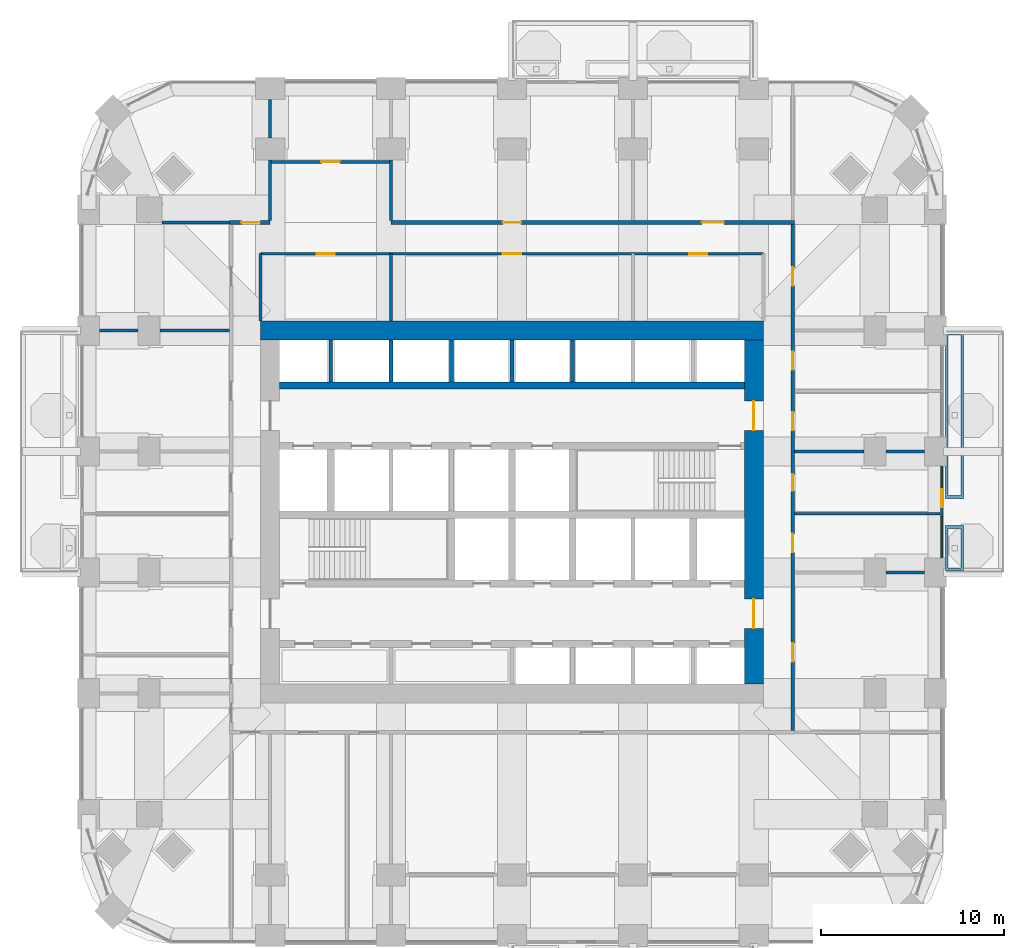
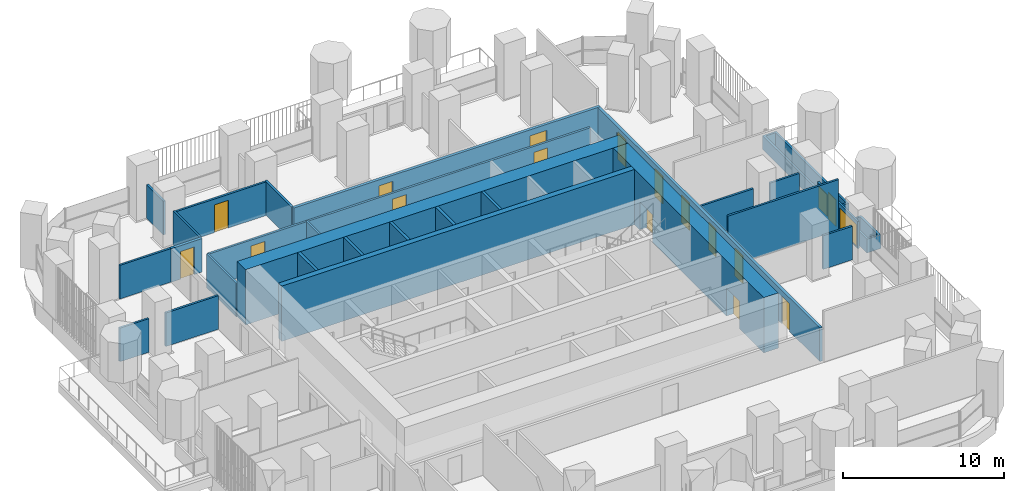
# One storey, part 16 of 22: 28 walls, 16 doors, 2 windows, 18 openings.
"""IFC4 building model written with IfcOpenShell, lengths in metres."""

from ifc_helpers import new_model, si_unit, direction, frame, frame_2d, origin, place, context, subcontext, project, spatial, polyline, rectangle, outline, extrude, material, layer, layer_set, type_object, element, fill, save


model = new_model("IFC4")

# Units and contexts
model_context = context("Model", 3, precision=1e-05, world=origin(), true_north=direction((0.0, 1.0)))
body_context = subcontext(model_context, "Body", "Model", "MODEL_VIEW")
ifc_project = project(units=[si_unit("LENGTHUNIT", "METRE"), si_unit("AREAUNIT", "SQUARE_METRE"), si_unit("VOLUMEUNIT", "CUBIC_METRE"), si_unit("PLANEANGLEUNIT", "RADIAN"), si_unit("MASSUNIT", "GRAM", prefix="KILO")], contexts=[model_context])

# Site, building, storey
site_placement = place(None, origin())
site = spatial("IfcSite", under=ifc_project, at=site_placement, CompositionType="ELEMENT")
building_placement = place(site_placement, origin())
building = spatial("IfcBuilding", under=site, at=building_placement, Name="Cobogo Forest Laboratory Tower", CompositionType="ELEMENT")
storey_placement = place(building_placement, frame((0.0, 0.0, 145.199951171875)))
storey = spatial("IfcBuildingStorey", under=building, at=storey_placement, Name="L33", CompositionType="ELEMENT", Elevation=145.199951171875)

# Wall
ifc_material_1 = material(Name="Concrete HA-50 (C50/60)", Category="concrete")
ifc_layer_1 = layer(ifc_material_1, 0.39990234375)
ifc_layer_set_1 = layer_set([ifc_layer_1], Name="CI400 core inner wall 400")
wall_type_1 = type_object("IfcWallType", Name="CI400 core inner wall 400", PredefinedType="SHEAR", material=ifc_layer_set_1)
wall_1_placement = place(storey_placement, frame((13.72509765625, 30.0, 0.0), z_axis=(0.0, 0.0, 1.0), x_axis=(1.0, 0.0, 0.0)))
element("IfcWall", 1, at=wall_1_placement, inside=storey, type_object=wall_type_1, Name="Core wall CI-30.0 L33", PredefinedType="SHEAR", context=body_context, shape_type="SweptSolid", body=[
    extrude(rectangle(XDim=25.349853515625, YDim=0.39990234375, at=frame_2d((12.6748046875, 0.0))), origin(), (0.0, 0.0, 1.0), 4.199951171875),
])

# Wall, openings, doors
ifc_layer_2 = layer(ifc_material_1, 1.050048828125)
ifc_layer_set_2 = layer_set([ifc_layer_2], Name="CW1050 core outer wall 1050")
wall_type_2 = type_object("IfcWallType", Name="CW1050 core outer wall 1050", PredefinedType="SHEAR", material=ifc_layer_set_2)
wall_2_placement = place(storey_placement, frame((39.60009765625, 13.72509765625, 0.0), z_axis=(0.0, 0.0, 1.0), x_axis=(0.0, 1.0, 0.0)))
wall_2 = element("IfcWall", 2, at=wall_2_placement, inside=storey, type_object=wall_type_2, Name="Core wall CO-E L33", PredefinedType="SHEAR", context=body_context, shape_type="SweptSolid", body=[
    extrude(rectangle(XDim=18.75, YDim=1.050048828125, at=frame_2d((9.375, 0.0))), origin(), (0.0, 0.0, 1.0), 4.199951171875),
])
opening_1_placement = place(wall_2_placement, frame((3.02490234375, 0.0, 0.0)))
opening_1 = element("IfcOpeningElement", 3, at=opening_1_placement, cuts=wall_2, Name="Opening L33-D16", PredefinedType="OPENING", context=body_context, shape_type="SweptSolid", body=[
    extrude(rectangle(XDim=1.60009765625, YDim=2.10009765625, at=frame_2d((0.800048828125, 1.050048828125))), frame((0.0, 0.534912109375, 0.0), z_axis=(0.0, -1.0, 0.0), x_axis=(1.0, 0.0, 0.0)), (0.0, 0.0, 1.0), 1.070068359375),
])
opening_2_placement = place(wall_2_placement, frame((13.824951171875, 0.0, 0.0)))
opening_2 = element("IfcOpeningElement", 4, at=opening_2_placement, cuts=wall_2, Name="Opening L33-D29", PredefinedType="OPENING", context=body_context, shape_type="SweptSolid", body=[
    extrude(rectangle(XDim=1.60009765625, YDim=2.10009765625, at=frame_2d((0.800048828125, 1.050048828125))), frame((0.0, 0.534912109375, 0.0), z_axis=(0.0, -1.0, 0.0), x_axis=(1.0, 0.0, 0.0)), (0.0, 0.0, 1.0), 1.070068359375),
])
ifc_material_2 = material(Name="Steel fire door", Category="steel")
door_type_1 = type_object("IfcDoorType", Name="DS2 protected lobby door pair 1600 EI2 60", OperationType="DOUBLE_DOOR_DOUBLE_SWING", PredefinedType="DOOR", material=ifc_material_2)
door_1_placement = place(opening_1_placement, origin())
door_1 = element("IfcDoor", 5, at=door_1_placement, inside=storey, type_object=door_type_1, Name="Door L33-CO-E-S", OperationType="DOUBLE_DOOR_DOUBLE_SWING", OverallHeight=2.10009765625, OverallWidth=1.60009765625, PredefinedType="DOOR", context=body_context, shape_type="SweptSolid", body=[
    extrude(rectangle(XDim=1.60009765625, YDim=2.10009765625, at=frame_2d((0.800048828125, 1.050048828125))), frame((0.0, 0.02490234375, 0.0), z_axis=(0.0, -1.0, 0.0), x_axis=(1.0, 0.0, 0.0)), (0.0, 0.0, 1.0), 0.050048828125),
])
fill(opening_1, door_1)
door_2_placement = place(opening_2_placement, origin())
door_2 = element("IfcDoor", 6, at=door_2_placement, inside=storey, type_object=door_type_1, Name="Door L33-CO-E-N", OperationType="DOUBLE_DOOR_DOUBLE_SWING", OverallHeight=2.10009765625, OverallWidth=1.60009765625, PredefinedType="DOOR", context=body_context, shape_type="SweptSolid", body=[
    extrude(rectangle(XDim=1.60009765625, YDim=2.10009765625, at=frame_2d((0.800048828125, 1.050048828125))), frame((0.0, 0.02490234375, 0.0), z_axis=(0.0, -1.0, 0.0), x_axis=(1.0, 0.0, 0.0)), (0.0, 0.0, 1.0), 0.050048828125),
])
fill(opening_2, door_2)

# Wall
wall_3_placement = place(storey_placement, frame((40.125, 33.0, 0.0), z_axis=(0.0, 0.0, 1.0), x_axis=(-1.0, 0.0, 0.0)))
element("IfcWall", 7, at=wall_3_placement, inside=storey, type_object=wall_type_2, Name="Core wall CO-N L33", PredefinedType="SHEAR", context=body_context, shape_type="SweptSolid", body=[
    extrude(rectangle(XDim=27.449951171875, YDim=1.050048828125, at=frame_2d((13.72509765625, 0.0))), origin(), (0.0, 0.0, 1.0), 4.199951171875),
])

# Wall, openings, door, windows
ifc_material_3 = material(Name="Aluminium framed glazed screen", Category="aluminium")
ifc_layer_3 = layer(ifc_material_3, 0.14990234375)
ifc_layer_set_3 = layer_set([ifc_layer_3], Name="GS1 glazed door screen 150")
wall_type_3 = type_object("IfcWallType", Name="GS1 glazed door screen 150", PredefinedType="SOLIDWALL", material=ifc_layer_set_3)
wall_4_placement = place(storey_placement, frame((49.85009765625, 20.60009765625, 0.0), z_axis=(0.0, 0.0, 1.0), x_axis=(0.0, 1.0, 0.0)))
wall_4 = element("IfcWall", 8, at=wall_4_placement, inside=storey, type_object=wall_type_3, Name="Door screen BAL-E1 L33", PredefinedType="SOLIDWALL", context=body_context, shape_type="SweptSolid", body=[
    extrude(rectangle(XDim=5.0, YDim=0.14990234375, at=frame_2d((2.5, 0.0))), origin(), (0.0, 0.0, 1.0), 2.050048828125),
])
opening_3_placement = place(wall_4_placement, frame((2.75, 0.0, 0.0)))
opening_3 = element("IfcOpeningElement", 9, at=opening_3_placement, cuts=wall_4, Name="Opening L33-D23", PredefinedType="OPENING", context=body_context, shape_type="SweptSolid", body=[
    extrude(rectangle(XDim=1.0, YDim=2.0, at=frame_2d((0.5, 1.0))), frame((0.0, 0.0849609375, 0.0), z_axis=(0.0, -1.0, 0.0), x_axis=(1.0, 0.0, 0.0)), (0.0, 0.0, 1.0), 0.169921875),
])
opening_4_placement = place(wall_4_placement, frame((0.10009765625, 0.0, 0.10009765625)))
opening_4 = element("IfcOpeningElement", 10, at=opening_4_placement, cuts=wall_4, Name="Opening L33-W04", PredefinedType="OPENING", context=body_context, shape_type="SweptSolid", body=[
    extrude(rectangle(XDim=2.14990234375, YDim=1.64990234375, at=frame_2d((1.074951171875, 0.824951171875))), frame((0.0, 0.0849609375, 0.0), z_axis=(0.0, -1.0, 0.0), x_axis=(1.0, 0.0, 0.0)), (0.0, 0.0, 1.0), 0.169921875),
])
opening_5_placement = place(wall_4_placement, frame((3.85009765625, 0.0, 0.10009765625)))
opening_5 = element("IfcOpeningElement", 11, at=opening_5_placement, cuts=wall_4, Name="Opening L33-W06", PredefinedType="OPENING", context=body_context, shape_type="SweptSolid", body=[
    extrude(rectangle(XDim=1.050048828125, YDim=1.64990234375, at=frame_2d((0.52490234375, 0.824951171875))), frame((0.0, 0.0849609375, 0.0), z_axis=(0.0, -1.0, 0.0), x_axis=(1.0, 0.0, 0.0)), (0.0, 0.0, 1.0), 0.169921875),
])
ifc_material_4 = material(Name="Aluminium glazed door", Category="aluminium")
door_type_2 = type_object("IfcDoorType", Name="DB2 balcony door 1000 glazed 2000 high", OperationType="SINGLE_SWING_LEFT", PredefinedType="DOOR", material=ifc_material_4)
door_3_placement = place(opening_3_placement, origin())
door_3 = element("IfcDoor", 12, at=door_3_placement, inside=storey, type_object=door_type_2, Name="Door L33-BAL-E1", OperationType="SINGLE_SWING_RIGHT", OverallHeight=2.0, OverallWidth=1.0, PredefinedType="DOOR", context=body_context, shape_type="SweptSolid", body=[
    extrude(rectangle(XDim=1.0, YDim=2.0, at=frame_2d((0.5, 1.0))), frame((0.0, 0.02490234375, 0.0), z_axis=(0.0, -1.0, 0.0), x_axis=(1.0, 0.0, 0.0)), (0.0, 0.0, 1.0), 0.050048828125),
])
fill(opening_3, door_3)
ifc_material_5 = material(Name="Aluminium framed glazing", Category="aluminium")
window_type_1 = type_object("IfcWindowType", Name="WG19 fixed glazed light 2150x1650", PartitioningType="SINGLE_PANEL", PredefinedType="WINDOW", material=ifc_material_5)
window_1_placement = place(opening_4_placement, origin())
window_1 = element("IfcWindow", 13, at=window_1_placement, inside=storey, type_object=window_type_1, Name="Window L33-BAL-E1-1", OverallHeight=1.64990234375, OverallWidth=2.14990234375, PartitioningType="SINGLE_PANEL", PredefinedType="WINDOW", context=body_context, shape_type="SweptSolid", body=[
    extrude(rectangle(XDim=2.14990234375, YDim=1.64990234375, at=frame_2d((1.074951171875, 0.824951171875))), frame((0.0, 0.030029296875, 0.0), z_axis=(0.0, -1.0, 0.0), x_axis=(1.0, 0.0, 0.0)), (0.0, 0.0, 1.0), 0.06005859375),
])
fill(opening_4, window_1)
window_type_2 = type_object("IfcWindowType", Name="WG20 fixed glazed light 1050x1650", PartitioningType="SINGLE_PANEL", PredefinedType="WINDOW", material=ifc_material_5)
window_2_placement = place(opening_5_placement, origin())
window_2 = element("IfcWindow", 14, at=window_2_placement, inside=storey, type_object=window_type_2, Name="Window L33-BAL-E1-2", OverallHeight=1.64990234375, OverallWidth=1.050048828125, PartitioningType="SINGLE_PANEL", PredefinedType="WINDOW", context=body_context, shape_type="SweptSolid", body=[
    extrude(rectangle(XDim=1.050048828125, YDim=1.64990234375, at=frame_2d((0.52490234375, 0.824951171875))), frame((0.0, 0.030029296875, 0.0), z_axis=(0.0, -1.0, 0.0), x_axis=(1.0, 0.0, 0.0)), (0.0, 0.0, 1.0), 0.06005859375),
])
fill(opening_5, window_2)

# Wall, openings, doors
ifc_material_6 = material(Name="Gypsum board on steel studs", Category="steel")
ifc_layer_4 = layer(ifc_material_6, 0.14990234375)
ifc_layer_set_4 = layer_set([ifc_layer_4], Name="PT1 laboratory partition 150")
wall_type_4 = type_object("IfcWallType", Name="PT1 laboratory partition 150", PredefinedType="PARTITIONING", material=ifc_layer_set_4)
wall_5_placement = place(storey_placement, frame((12.675048828125, 37.199951171875, 0.0), z_axis=(0.0, 0.0, 1.0), x_axis=(1.0, 0.0, 0.0)))
wall_5 = element("IfcWall", 15, at=wall_5_placement, inside=storey, type_object=wall_type_4, Name="Partition CSTRIP-N L33", PredefinedType="PARTITIONING", context=body_context, shape_type="SweptSolid", body=[
    extrude(rectangle(XDim=27.449951171875, YDim=0.14990234375, at=frame_2d((13.72509765625, 0.0))), origin(), (0.0, 0.0, 1.0), 2.550048828125),
])
opening_6_placement = place(wall_5_placement, frame((3.0625, 0.0, 0.0)))
opening_6 = element("IfcOpeningElement", 16, at=opening_6_placement, cuts=wall_5, Name="Opening L33-D34", PredefinedType="OPENING", context=body_context, shape_type="SweptSolid", body=[
    extrude(rectangle(XDim=1.0, YDim=2.10009765625, at=frame_2d((0.5, 1.050048828125))), frame((0.0, 0.0849609375, 0.0), z_axis=(0.0, -1.0, 0.0), x_axis=(1.0, 0.0, 0.0)), (0.0, 0.0, 1.0), 0.169921875),
])
opening_7_placement = place(wall_5_placement, frame((13.22509765625, 0.0, 0.0)))
opening_7 = element("IfcOpeningElement", 17, at=opening_7_placement, cuts=wall_5, Name="Opening L33-D35", PredefinedType="OPENING", context=body_context, shape_type="SweptSolid", body=[
    extrude(rectangle(XDim=1.0, YDim=2.10009765625, at=frame_2d((0.5, 1.050048828125))), frame((0.0, 0.0849609375, 0.0), z_axis=(0.0, -1.0, 0.0), x_axis=(1.0, 0.0, 0.0)), (0.0, 0.0, 1.0), 0.169921875),
])
opening_8_placement = place(wall_5_placement, frame((23.387451171875, 0.0, 0.0)))
opening_8 = element("IfcOpeningElement", 18, at=opening_8_placement, cuts=wall_5, Name="Opening L33-D36", PredefinedType="OPENING", context=body_context, shape_type="SweptSolid", body=[
    extrude(rectangle(XDim=1.0, YDim=2.10009765625, at=frame_2d((0.5, 1.050048828125))), frame((0.0, 0.0849609375, 0.0), z_axis=(0.0, -1.0, 0.0), x_axis=(1.0, 0.0, 0.0)), (0.0, 0.0, 1.0), 0.169921875),
])
ifc_material_7 = material(Name="Timber fire door", Category="wood")
door_type_3 = type_object("IfcDoorType", Name="FD2 fire door 1000 EI2 30", OperationType="SINGLE_SWING_LEFT", PredefinedType="DOOR", material=ifc_material_7)
door_4_placement = place(opening_6_placement, origin())
door_4 = element("IfcDoor", 19, at=door_4_placement, inside=storey, type_object=door_type_3, Name="Door L33-CSN1", OperationType="SINGLE_SWING_LEFT", OverallHeight=2.10009765625, OverallWidth=1.0, PredefinedType="DOOR", context=body_context, shape_type="SweptSolid", body=[
    extrude(rectangle(XDim=1.0, YDim=2.10009765625, at=frame_2d((0.5, 1.050048828125))), frame((0.0, 0.02490234375, 0.0), z_axis=(0.0, -1.0, 0.0), x_axis=(1.0, 0.0, 0.0)), (0.0, 0.0, 1.0), 0.050048828125),
])
fill(opening_6, door_4)
door_5_placement = place(opening_7_placement, origin())
door_5 = element("IfcDoor", 20, at=door_5_placement, inside=storey, type_object=door_type_3, Name="Door L33-CSN2", OperationType="SINGLE_SWING_LEFT", OverallHeight=2.10009765625, OverallWidth=1.0, PredefinedType="DOOR", context=body_context, shape_type="SweptSolid", body=[
    extrude(rectangle(XDim=1.0, YDim=2.10009765625, at=frame_2d((0.5, 1.050048828125))), frame((0.0, 0.02490234375, 0.0), z_axis=(0.0, -1.0, 0.0), x_axis=(1.0, 0.0, 0.0)), (0.0, 0.0, 1.0), 0.050048828125),
])
fill(opening_7, door_5)
door_6_placement = place(opening_8_placement, origin())
door_6 = element("IfcDoor", 21, at=door_6_placement, inside=storey, type_object=door_type_3, Name="Door L33-CSN3", OperationType="SINGLE_SWING_RIGHT", OverallHeight=2.10009765625, OverallWidth=1.0, PredefinedType="DOOR", context=body_context, shape_type="SweptSolid", body=[
    extrude(rectangle(XDim=1.0, YDim=2.10009765625, at=frame_2d((0.5, 1.050048828125))), frame((0.0, 0.02490234375, 0.0), z_axis=(0.0, -1.0, 0.0), x_axis=(1.0, 0.0, 0.0)), (0.0, 0.0, 1.0), 0.050048828125),
])
fill(opening_8, door_6)

# Walls
for number, where, z_axis, x_axis, name in (
    (22, (12.675048828125, 33.52490234375, 0.0), (0.0, 0.0, 1.0), (0.0, 1.0, 0.0), "Partition CSTRIP-NW L33"),
    (23, (19.800048828125, 33.52490234375, 0.0), (0.0, 0.0, 1.0), (0.0, 1.0, 0.0), "Partition CSTRIP-N19.8 L33"),
    (24, (7.300048828125, 38.89990234375, 0.0), (0.0, 0.0, 1.0), (1.0, 0.0, 0.0), "Partition PW-NW L33"),
):
    element("IfcWall", number, at=place(storey_placement, frame(where, z_axis=z_axis, x_axis=x_axis)), inside=storey, type_object=wall_type_4, Name=name, PredefinedType="PARTITIONING", context=body_context, shape_type="SweptSolid", body=[
        extrude(rectangle(XDim=3.675048828125, YDim=0.14990234375, at=frame_2d((1.83740234375, 0.0))), origin(), (0.0, 0.0, 1.0), 2.550048828125),
    ])
wall_6_placement = place(storey_placement, frame((49.77001953125, 23.0, 0.0), z_axis=(0.0, 0.0, 1.0), x_axis=(-1.0, 0.0, 0.0)))
element("IfcWall", 25, at=wall_6_placement, inside=storey, type_object=wall_type_4, Name="Partition SVC-E1-1 L33", PredefinedType="PARTITIONING", context=body_context, shape_type="SweptSolid", body=[
    extrude(rectangle(XDim=7.945068359375, YDim=0.14990234375, at=frame_2d((3.97265625, 0.0))), origin(), (0.0, 0.0, 1.0), 3.85009765625),
])
wall_7_placement = place(storey_placement, frame((48.89990234375, 26.39990234375, 0.0), z_axis=(0.0, 0.0, 1.0), x_axis=(-1.0, 0.0, 0.0)))
element("IfcWall", 26, at=wall_7_placement, inside=storey, type_object=wall_type_4, Name="Partition SVC-E2-1 L33", PredefinedType="PARTITIONING", context=body_context, shape_type="SweptSolid", body=[
    extrude(rectangle(XDim=2.099853515625, YDim=0.14990234375, at=frame_2d((1.0498046875, 0.0))), origin(), (0.0, 0.0, 1.0), 2.550048828125),
])
wall_8_placement = place(storey_placement, frame((45.60009765625, 26.39990234375, 0.0), z_axis=(0.0, 0.0, 1.0), x_axis=(-1.0, 0.0, 0.0)))
element("IfcWall", 27, at=wall_8_placement, inside=storey, type_object=wall_type_4, Name="Partition SVC-E2-2 L33", PredefinedType="PARTITIONING", context=body_context, shape_type="SweptSolid", body=[
    extrude(rectangle(XDim=3.775146484375, YDim=0.14990234375, at=frame_2d((1.8876953125, 0.0))), origin(), (0.0, 0.0, 1.0), 2.550048828125),
])
wall_9_placement = place(storey_placement, frame((48.89990234375, 19.800048828125, 0.0), z_axis=(0.0, 0.0, 1.0), x_axis=(-1.0, 0.0, 0.0)))
element("IfcWall", 28, at=wall_9_placement, inside=storey, type_object=wall_type_4, Name="Partition CUT-E19.8-1 L33", PredefinedType="PARTITIONING", context=body_context, shape_type="SweptSolid", body=[
    extrude(rectangle(XDim=2.099853515625, YDim=0.14990234375, at=frame_2d((1.0498046875, 0.0))), origin(), (0.0, 0.0, 1.0), 2.550048828125),
])

# Wall, opening, door
wall_10_placement = place(storey_placement, frame((13.199951171875, 42.199951171875, 0.0), z_axis=(0.0, 0.0, 1.0), x_axis=(1.0, 0.0, 0.0)))
wall_10 = element("IfcWall", 29, at=wall_10_placement, inside=storey, type_object=wall_type_4, Name="Partition NODE-N-1 L33", PredefinedType="PARTITIONING", context=body_context, shape_type="SweptSolid", body=[
    extrude(rectangle(XDim=6.60009765625, YDim=0.14990234375, at=frame_2d((3.300048828125, 0.0))), origin(), (0.0, 0.0, 1.0), 2.550048828125),
])
opening_9_placement = place(wall_10_placement, frame((2.800048828125, 0.0, 0.0)))
opening_9 = element("IfcOpeningElement", 30, at=opening_9_placement, cuts=wall_10, Name="Opening L33-D40", PredefinedType="OPENING", context=body_context, shape_type="SweptSolid", body=[
    extrude(rectangle(XDim=1.0, YDim=2.10009765625, at=frame_2d((0.5, 1.050048828125))), frame((0.0, 0.0849609375, 0.0), z_axis=(0.0, -1.0, 0.0), x_axis=(1.0, 0.0, 0.0)), (0.0, 0.0, 1.0), 0.169921875),
])
door_7_placement = place(opening_9_placement, origin())
door_7 = element("IfcDoor", 31, at=door_7_placement, inside=storey, type_object=door_type_3, Name="Door L33-N2", OperationType="SINGLE_SWING_LEFT", OverallHeight=2.10009765625, OverallWidth=1.0, PredefinedType="DOOR", context=body_context, shape_type="SweptSolid", body=[
    extrude(rectangle(XDim=1.0, YDim=2.10009765625, at=frame_2d((0.5, 1.050048828125))), frame((0.0, 0.02490234375, 0.0), z_axis=(0.0, -1.0, 0.0), x_axis=(1.0, 0.0, 0.0)), (0.0, 0.0, 1.0), 0.050048828125),
])
fill(opening_9, door_7)

# Walls
wall_11_placement = place(storey_placement, frame((13.199951171875, 45.60009765625, 0.0), z_axis=(0.0, 0.0, 1.0), x_axis=(0.0, -1.0, 0.0)))
element("IfcWall", 32, at=wall_11_placement, inside=storey, type_object=wall_type_4, Name="Partition CUT-N13.2-1 L33", PredefinedType="PARTITIONING", context=body_context, shape_type="SweptSolid", body=[
    extrude(rectangle(XDim=2.10009765625, YDim=0.14990234375, at=frame_2d((1.050048828125, 0.0))), origin(), (0.0, 0.0, 1.0), 2.550048828125),
])
for number, where, z_axis, x_axis, name in (
    (33, (13.199951171875, 42.300048828125, 0.0), (0.0, 0.0, 1.0), (0.0, -1.0, 0.0), "Partition CUT-N13.2-2 L33"),
    (34, (19.800048828125, 42.300048828125, 0.0), (0.0, 0.0, 1.0), (0.0, -1.0, 0.0), "Partition CUT-N19.8-2 L33"),
):
    element("IfcWall", number, at=place(storey_placement, frame(where, z_axis=z_axis, x_axis=x_axis)), inside=storey, type_object=wall_type_4, Name=name, PredefinedType="PARTITIONING", context=body_context, shape_type="SweptSolid", body=[
        extrude(rectangle(XDim=3.300048828125, YDim=0.14990234375, at=frame_2d((1.64990234375, 0.0))), origin(), (0.0, 0.0, 1.0), 2.550048828125),
    ])
wall_12_placement = place(storey_placement, frame((3.89990234375, 33.0, 0.0), z_axis=(0.0, 0.0, 1.0), x_axis=(1.0, 0.0, 0.0)))
element("IfcWall", 35, at=wall_12_placement, inside=storey, type_object=wall_type_4, Name="Partition CUT-W33-1 L33", PredefinedType="PARTITIONING", context=body_context, shape_type="SweptSolid", body=[
    extrude(rectangle(XDim=2.10009765625, YDim=0.14990234375, at=frame_2d((1.050048828125, 0.0))), origin(), (0.0, 0.0, 1.0), 2.550048828125),
])
wall_13_placement = place(storey_placement, frame((7.199951171875, 33.0, 0.0), z_axis=(0.0, 0.0, 1.0), x_axis=(1.0, 0.0, 0.0)))
element("IfcWall", 36, at=wall_13_placement, inside=storey, type_object=wall_type_4, Name="Partition CUT-W33-2 L33", PredefinedType="PARTITIONING", context=body_context, shape_type="SweptSolid", body=[
    extrude(rectangle(XDim=3.775146484375, YDim=0.14990234375, at=frame_2d((1.8876953125, 0.0))), origin(), (0.0, 0.0, 1.0), 2.550048828125),
])

# Wall, opening, door
ifc_layer_5 = layer(ifc_material_6, 0.199951171875)
ifc_layer_set_5 = layer_set([ifc_layer_5], Name="PT2 fire-rated corridor partition 200")
wall_type_5 = type_object("IfcWallType", Name="PT2 fire-rated corridor partition 200", PredefinedType="PARTITIONING", material=ifc_layer_set_5)
wall_14_placement = place(storey_placement, frame((10.97509765625, 38.89990234375, 0.0), z_axis=(0.0, 0.0, 1.0), x_axis=(1.0, 0.0, 0.0)))
wall_14 = element("IfcWall", 37, at=wall_14_placement, inside=storey, type_object=wall_type_5, Name="Partition CORR-N-1 L33", PredefinedType="PARTITIONING", context=body_context, shape_type="SweptSolid", body=[
    extrude(rectangle(XDim=2.224853515625, YDim=0.199951171875, at=frame_2d((1.1123046875, 0.0))), origin(), (0.0, 0.0, 1.0), 2.550048828125),
])
opening_10_placement = place(wall_14_placement, frame((0.66259765625, 0.0, 0.0)))
opening_10 = element("IfcOpeningElement", 38, at=opening_10_placement, cuts=wall_14, Name="Opening L33-D37", PredefinedType="OPENING", context=body_context, shape_type="SweptSolid", body=[
    extrude(rectangle(XDim=1.0, YDim=2.10009765625, at=frame_2d((0.5, 1.050048828125))), frame((0.0, 0.10986328125, 0.0), z_axis=(0.0, -1.0, 0.0), x_axis=(1.0, 0.0, 0.0)), (0.0, 0.0, 1.0), 0.219970703125),
])
door_8_placement = place(opening_10_placement, origin())
door_8 = element("IfcDoor", 39, at=door_8_placement, inside=storey, type_object=door_type_3, Name="Door L33-N1", OperationType="SINGLE_SWING_RIGHT", OverallHeight=2.10009765625, OverallWidth=1.0, PredefinedType="DOOR", context=body_context, shape_type="SweptSolid", body=[
    extrude(rectangle(XDim=1.0, YDim=2.10009765625, at=frame_2d((0.5, 1.050048828125))), frame((0.0, 0.02490234375, 0.0), z_axis=(0.0, -1.0, 0.0), x_axis=(1.0, 0.0, 0.0)), (0.0, 0.0, 1.0), 0.050048828125),
])
fill(opening_10, door_8)

# Wall, openings, doors
wall_15_placement = place(storey_placement, frame((19.800048828125, 38.89990234375, 0.0), z_axis=(0.0, 0.0, 1.0), x_axis=(1.0, 0.0, 0.0)))
wall_15 = element("IfcWall", 40, at=wall_15_placement, inside=storey, type_object=wall_type_5, Name="Partition CORR-N-2 L33", PredefinedType="PARTITIONING", context=body_context, shape_type="SweptSolid", body=[
    extrude(rectangle(XDim=22.02490234375, YDim=0.199951171875, at=frame_2d((11.012451171875, 0.0))), origin(), (0.0, 0.0, 1.0), 2.550048828125),
])
opening_11_placement = place(wall_15_placement, frame((6.10009765625, 0.0, 0.0)))
opening_11 = element("IfcOpeningElement", 41, at=opening_11_placement, cuts=wall_15, Name="Opening L33-D38", PredefinedType="OPENING", context=body_context, shape_type="SweptSolid", body=[
    extrude(rectangle(XDim=1.0, YDim=2.10009765625, at=frame_2d((0.5, 1.050048828125))), frame((0.0, 0.10986328125, 0.0), z_axis=(0.0, -1.0, 0.0), x_axis=(1.0, 0.0, 0.0)), (0.0, 0.0, 1.0), 0.219970703125),
])
opening_12_placement = place(wall_15_placement, frame((16.96240234375, 0.0, 0.0)))
opening_12 = element("IfcOpeningElement", 42, at=opening_12_placement, cuts=wall_15, Name="Opening L33-D39", PredefinedType="OPENING", context=body_context, shape_type="SweptSolid", body=[
    extrude(rectangle(XDim=1.199951171875, YDim=2.10009765625, at=frame_2d((0.60009765625, 1.050048828125))), frame((0.0, 0.10986328125, 0.0), z_axis=(0.0, -1.0, 0.0), x_axis=(1.0, 0.0, 0.0)), (0.0, 0.0, 1.0), 0.219970703125),
])
ifc_material_8 = material(Name="Timber door", Category="wood")
door_type_4 = type_object("IfcDoorType", Name="D2 laboratory door 1200 unequal pair", OperationType="DOUBLE_DOOR_SINGLE_SWING", PredefinedType="DOOR", material=ifc_material_8)
door_9_placement = place(opening_12_placement, origin())
door_9 = element("IfcDoor", 43, at=door_9_placement, inside=storey, type_object=door_type_4, Name="Door L33-N4", OperationType="DOUBLE_DOOR_SINGLE_SWING", OverallHeight=2.10009765625, OverallWidth=1.199951171875, PredefinedType="DOOR", context=body_context, shape_type="SweptSolid", body=[
    extrude(rectangle(XDim=1.199951171875, YDim=2.10009765625, at=frame_2d((0.60009765625, 1.050048828125))), frame((0.0, 0.02490234375, 0.0), z_axis=(0.0, -1.0, 0.0), x_axis=(1.0, 0.0, 0.0)), (0.0, 0.0, 1.0), 0.050048828125),
])
fill(opening_12, door_9)
door_10_placement = place(opening_11_placement, origin())
door_10 = element("IfcDoor", 44, at=door_10_placement, inside=storey, type_object=door_type_3, Name="Door L33-N3", OperationType="SINGLE_SWING_LEFT", OverallHeight=2.10009765625, OverallWidth=1.0, PredefinedType="DOOR", context=body_context, shape_type="SweptSolid", body=[
    extrude(rectangle(XDim=1.0, YDim=2.10009765625, at=frame_2d((0.5, 1.050048828125))), frame((0.0, 0.02490234375, 0.0), z_axis=(0.0, -1.0, 0.0), x_axis=(1.0, 0.0, 0.0)), (0.0, 0.0, 1.0), 0.050048828125),
])
fill(opening_11, door_10)

wall_16_placement = place(storey_placement, frame((41.72509765625, 11.175048828125, 0.0), z_axis=(0.0, 0.0, 1.0), x_axis=(0.0, 1.0, 0.0)))
wall_16 = element("IfcWall", 45, at=wall_16_placement, inside=storey, type_object=wall_type_5, Name="Partition CORR-E L33", PredefinedType="PARTITIONING", context=body_context, shape_type="SweptSolid", body=[
    extrude(rectangle(XDim=27.625, YDim=0.199951171875, at=frame_2d((13.8125, 0.0))), origin(), (0.0, 0.0, 1.0), 2.550048828125),
])
opening_13_placement = place(wall_16_placement, frame((3.762451171875, 0.0, 0.0)))
opening_13 = element("IfcOpeningElement", 46, at=opening_13_placement, cuts=wall_16, Name="Opening L33-D09", PredefinedType="OPENING", context=body_context, shape_type="SweptSolid", body=[
    extrude(rectangle(XDim=1.0, YDim=2.10009765625, at=frame_2d((0.5, 1.050048828125))), frame((0.0, 0.10986328125, 0.0), z_axis=(0.0, -1.0, 0.0), x_axis=(1.0, 0.0, 0.0)), (0.0, 0.0, 1.0), 0.219970703125),
])
opening_14_placement = place(wall_16_placement, frame((9.72509765625, 0.0, 0.0)))
opening_14 = element("IfcOpeningElement", 47, at=opening_14_placement, cuts=wall_16, Name="Opening L33-D21", PredefinedType="OPENING", context=body_context, shape_type="SweptSolid", body=[
    extrude(rectangle(XDim=1.0, YDim=2.10009765625, at=frame_2d((0.5, 1.050048828125))), frame((0.0, 0.10986328125, 0.0), z_axis=(0.0, -1.0, 0.0), x_axis=(1.0, 0.0, 0.0)), (0.0, 0.0, 1.0), 0.219970703125),
])
opening_15_placement = place(wall_16_placement, frame((13.074951171875, 0.0, 0.0)))
opening_15 = element("IfcOpeningElement", 48, at=opening_15_placement, cuts=wall_16, Name="Opening L33-D25", PredefinedType="OPENING", context=body_context, shape_type="SweptSolid", body=[
    extrude(rectangle(XDim=0.89990234375, YDim=2.10009765625, at=frame_2d((0.449951171875, 1.050048828125))), frame((0.0, 0.10986328125, 0.0), z_axis=(0.0, -1.0, 0.0), x_axis=(1.0, 0.0, 0.0)), (0.0, 0.0, 1.0), 0.219970703125),
])
opening_16_placement = place(wall_16_placement, frame((16.375, 0.0, 0.0)))
opening_16 = element("IfcOpeningElement", 49, at=opening_16_placement, cuts=wall_16, Name="Opening L33-D27", PredefinedType="OPENING", context=body_context, shape_type="SweptSolid", body=[
    extrude(rectangle(XDim=1.0, YDim=2.10009765625, at=frame_2d((0.5, 1.050048828125))), frame((0.0, 0.10986328125, 0.0), z_axis=(0.0, -1.0, 0.0), x_axis=(1.0, 0.0, 0.0)), (0.0, 0.0, 1.0), 0.219970703125),
])
opening_17_placement = place(wall_16_placement, frame((19.675048828125, 0.0, 0.0)))
opening_17 = element("IfcOpeningElement", 50, at=opening_17_placement, cuts=wall_16, Name="Opening L33-D31", PredefinedType="OPENING", context=body_context, shape_type="SweptSolid", body=[
    extrude(rectangle(XDim=1.0, YDim=2.10009765625, at=frame_2d((0.5, 1.050048828125))), frame((0.0, 0.10986328125, 0.0), z_axis=(0.0, -1.0, 0.0), x_axis=(1.0, 0.0, 0.0)), (0.0, 0.0, 1.0), 0.219970703125),
])
opening_18_placement = place(wall_16_placement, frame((24.27490234375, 0.0, 0.0)))
opening_18 = element("IfcOpeningElement", 51, at=opening_18_placement, cuts=wall_16, Name="Opening L33-D33", PredefinedType="OPENING", context=body_context, shape_type="SweptSolid", body=[
    extrude(rectangle(XDim=1.0, YDim=2.10009765625, at=frame_2d((0.5, 1.050048828125))), frame((0.0, 0.10986328125, 0.0), z_axis=(0.0, -1.0, 0.0), x_axis=(1.0, 0.0, 0.0)), (0.0, 0.0, 1.0), 0.219970703125),
])
door_type_5 = type_object("IfcDoorType", Name="FD1 fire door 1000 EI2 60", OperationType="SINGLE_SWING_LEFT", PredefinedType="DOOR", material=ifc_material_2)
door_11_placement = place(opening_14_placement, origin())
door_11 = element("IfcDoor", 52, at=door_11_placement, inside=storey, type_object=door_type_5, Name="Door L33-ELEC", OperationType="SINGLE_SWING_LEFT", OverallHeight=2.10009765625, OverallWidth=1.0, PredefinedType="DOOR", context=body_context, shape_type="SweptSolid", body=[
    extrude(rectangle(XDim=1.0, YDim=2.10009765625, at=frame_2d((0.5, 1.050048828125))), frame((0.0, 0.02490234375, 0.0), z_axis=(0.0, -1.0, 0.0), x_axis=(1.0, 0.0, 0.0)), (0.0, 0.0, 1.0), 0.050048828125),
])
fill(opening_14, door_11)
door_12_placement = place(opening_13_placement, origin())
door_12 = element("IfcDoor", 53, at=door_12_placement, inside=storey, type_object=door_type_3, Name="Door L33-E1", OperationType="SINGLE_SWING_LEFT", OverallHeight=2.10009765625, OverallWidth=1.0, PredefinedType="DOOR", context=body_context, shape_type="SweptSolid", body=[
    extrude(rectangle(XDim=1.0, YDim=2.10009765625, at=frame_2d((0.5, 1.050048828125))), frame((0.0, 0.02490234375, 0.0), z_axis=(0.0, -1.0, 0.0), x_axis=(1.0, 0.0, 0.0)), (0.0, 0.0, 1.0), 0.050048828125),
])
fill(opening_13, door_12)
door_13_placement = place(opening_16_placement, origin())
door_13 = element("IfcDoor", 54, at=door_13_placement, inside=storey, type_object=door_type_3, Name="Door L33-E2", OperationType="SINGLE_SWING_RIGHT", OverallHeight=2.10009765625, OverallWidth=1.0, PredefinedType="DOOR", context=body_context, shape_type="SweptSolid", body=[
    extrude(rectangle(XDim=1.0, YDim=2.10009765625, at=frame_2d((0.5, 1.050048828125))), frame((0.0, 0.02490234375, 0.0), z_axis=(0.0, -1.0, 0.0), x_axis=(1.0, 0.0, 0.0)), (0.0, 0.0, 1.0), 0.050048828125),
])
fill(opening_16, door_13)
door_14_placement = place(opening_17_placement, origin())
door_14 = element("IfcDoor", 55, at=door_14_placement, inside=storey, type_object=door_type_3, Name="Door L33-E3", OperationType="SINGLE_SWING_RIGHT", OverallHeight=2.10009765625, OverallWidth=1.0, PredefinedType="DOOR", context=body_context, shape_type="SweptSolid", body=[
    extrude(rectangle(XDim=1.0, YDim=2.10009765625, at=frame_2d((0.5, 1.050048828125))), frame((0.0, 0.02490234375, 0.0), z_axis=(0.0, -1.0, 0.0), x_axis=(1.0, 0.0, 0.0)), (0.0, 0.0, 1.0), 0.050048828125),
])
fill(opening_17, door_14)
door_15_placement = place(opening_18_placement, origin())
door_15 = element("IfcDoor", 56, at=door_15_placement, inside=storey, type_object=door_type_3, Name="Door L33-E4", OperationType="SINGLE_SWING_RIGHT", OverallHeight=2.10009765625, OverallWidth=1.0, PredefinedType="DOOR", context=body_context, shape_type="SweptSolid", body=[
    extrude(rectangle(XDim=1.0, YDim=2.10009765625, at=frame_2d((0.5, 1.050048828125))), frame((0.0, 0.02490234375, 0.0), z_axis=(0.0, -1.0, 0.0), x_axis=(1.0, 0.0, 0.0)), (0.0, 0.0, 1.0), 0.050048828125),
])
fill(opening_18, door_15)
door_type_6 = type_object("IfcDoorType", Name="FD4 riser access door 900 EI2 60", OperationType="SINGLE_SWING_LEFT", PredefinedType="DOOR", material=ifc_material_2)
door_16_placement = place(opening_15_placement, origin())
door_16 = element("IfcDoor", 57, at=door_16_placement, inside=storey, type_object=door_type_6, Name="Door L33-COMMS", OperationType="SINGLE_SWING_LEFT", OverallHeight=2.10009765625, OverallWidth=0.89990234375, PredefinedType="DOOR", context=body_context, shape_type="SweptSolid", body=[
    extrude(rectangle(XDim=0.89990234375, YDim=2.10009765625, at=frame_2d((0.449951171875, 1.050048828125))), frame((0.0, 0.02490234375, 0.0), z_axis=(0.0, -1.0, 0.0), x_axis=(1.0, 0.0, 0.0)), (0.0, 0.0, 1.0), 0.050048828125),
])
fill(opening_15, door_16)

# Walls
ifc_material_9 = material(Name="Concrete HA-40 (C40/50)", Category="concrete")
ifc_layer_6 = layer(ifc_material_9, 0.14990234375)
ifc_layer_set_6 = layer_set([ifc_layer_6], Name="Planter box 1000x1050")
wall_type_6 = type_object("IfcWallType", Name="Planter box 1000x1050", PredefinedType="USERDEFINED", material=ifc_layer_set_6)
wall_17_placement = place(storey_placement, origin())
element("IfcWall", 58, at=wall_17_placement, inside=storey, type_object=wall_type_6, Name="Planter BAL-E1-1 L33", ObjectType="PLANTER", PredefinedType="USERDEFINED", context=body_context, shape_type="SweptSolid", body=[
    extrude(outline(polyline([(50.050048828125, 19.89990234375), (51.050048828125, 19.89990234375), (51.050048828125, 22.35009765625), (50.050048828125, 22.35009765625), (50.050048828125, 19.89990234375)]), holes=[polyline([(50.199951171875, 20.050048828125), (50.89990234375, 20.050048828125), (50.89990234375, 22.199951171875), (50.199951171875, 22.199951171875), (50.199951171875, 20.050048828125)])]), origin(), (0.0, 0.0, 1.0), 1.050048828125),
])
wall_18_placement = place(storey_placement, origin())
element("IfcWall", 59, at=wall_18_placement, inside=storey, type_object=wall_type_6, Name="Planter BAL-E1-2 L33", ObjectType="PLANTER", PredefinedType="USERDEFINED", context=body_context, shape_type="SweptSolid", body=[
    extrude(outline(polyline([(50.050048828125, 23.85009765625), (51.050048828125, 23.85009765625), (51.050048828125, 32.89990234375), (50.050048828125, 32.89990234375), (50.050048828125, 23.85009765625)]), holes=[polyline([(50.199951171875, 24.0), (50.89990234375, 24.0), (50.89990234375, 32.75), (50.199951171875, 32.75), (50.199951171875, 24.0)])]), origin(), (0.0, 0.0, 1.0), 1.050048828125),
])
ifc_material_10 = material(Name="Concrete block", Category="concrete")
ifc_layer_7 = layer(ifc_material_10, 0.199951171875)
ifc_layer_set_7 = layer_set([ifc_layer_7], Name="SW200 lift shaft separator 200")
wall_type_7 = type_object("IfcWallType", Name="SW200 lift shaft separator 200", PredefinedType="PARTITIONING", material=ifc_layer_set_7)
for number, where, z_axis, x_axis, name in (
    (60, (16.5, 30.199951171875, 0.0), (0.0, 0.0, 1.0), (0.0, 1.0, 0.0), "Core wall SEP-N1 L33"),
    (61, (19.800048828125, 30.199951171875, 0.0), (0.0, 0.0, 1.0), (0.0, 1.0, 0.0), "Core wall SEP-N2 L33"),
    (62, (23.10009765625, 30.199951171875, 0.0), (0.0, 0.0, 1.0), (0.0, 1.0, 0.0), "Core wall SEP-N3 L33"),
    (63, (26.39990234375, 30.199951171875, 0.0), (0.0, 0.0, 1.0), (0.0, 1.0, 0.0), "Core wall SEP-N4 L33"),
    (64, (29.699951171875, 30.199951171875, 0.0), (0.0, 0.0, 1.0), (0.0, 1.0, 0.0), "Core wall SEP-N5 L33"),
):
    element("IfcWall", number, at=place(storey_placement, frame(where, z_axis=z_axis, x_axis=x_axis)), inside=storey, type_object=wall_type_7, Name=name, PredefinedType="PARTITIONING", context=body_context, shape_type="SweptSolid", body=[
        extrude(rectangle(XDim=2.275146484375, YDim=0.199951171875, at=frame_2d((1.1376953125, 0.0))), origin(), (0.0, 0.0, 1.0), 4.199951171875),
    ])

save(model, "model.ifc")
